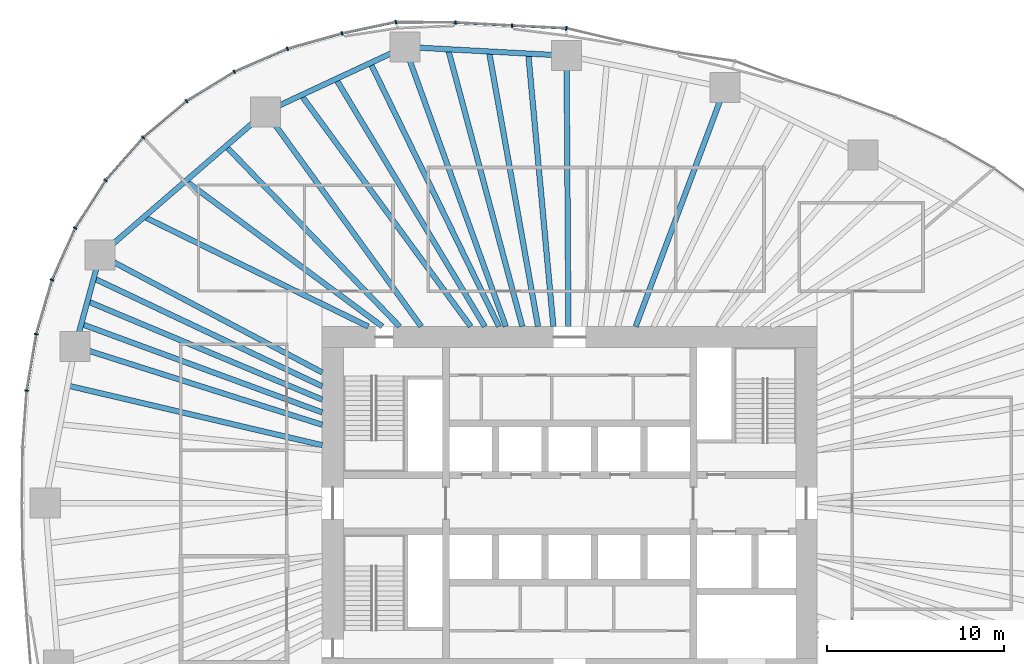
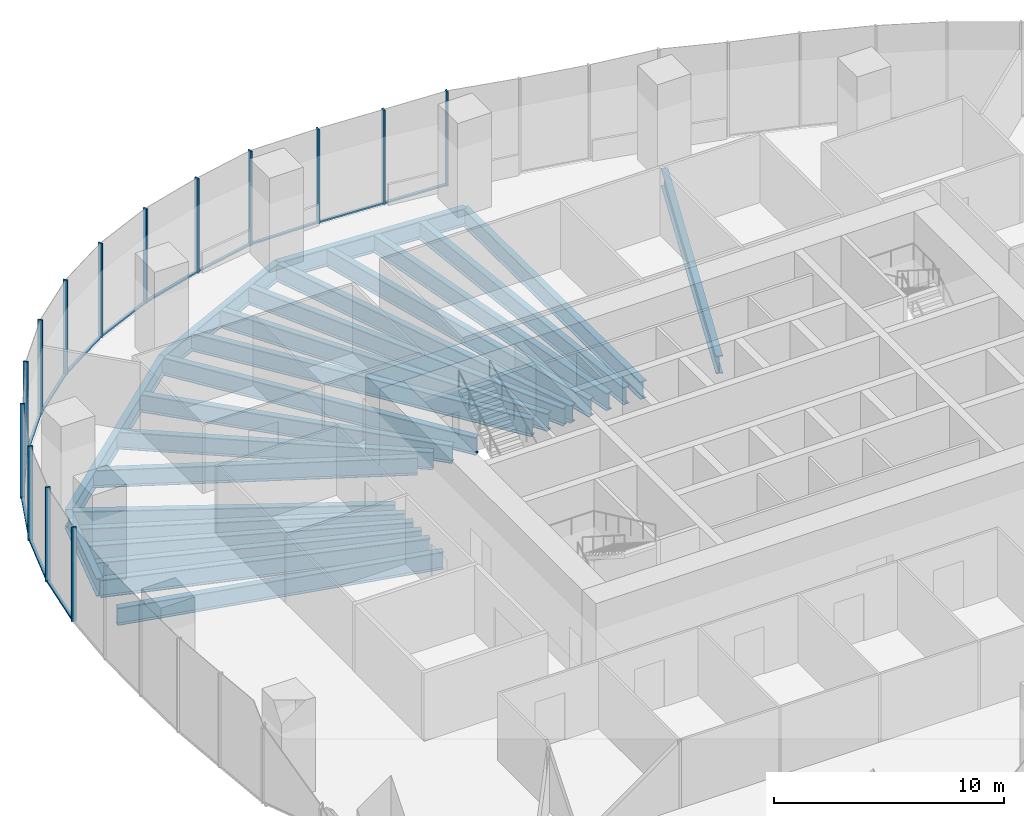
# One storey, part 5 of 20: 27 members, 23 beams, 5 elements without a shape of their own.
"""IFC4 building model written with IfcOpenShell, lengths in metres."""

from ifc_helpers import new_model, si_unit, direction, frame, origin, origin_2d, place, context, subcontext, project, spatial, rectangle, i_section, extrude, material, material_profile, profile_set, type_object, element, aggregate, save


model = new_model("IFC4")

# Units and contexts
model_context = context("Model", 3, precision=1e-05, world=origin(), true_north=direction((0.0, 1.0)))
body_context = subcontext(model_context, "Body", "Model", "MODEL_VIEW")
ifc_project = project(units=[si_unit("LENGTHUNIT", "METRE"), si_unit("AREAUNIT", "SQUARE_METRE"), si_unit("VOLUMEUNIT", "CUBIC_METRE"), si_unit("PLANEANGLEUNIT", "RADIAN"), si_unit("MASSUNIT", "GRAM", prefix="KILO")], contexts=[model_context])

# Site, building, storey
site_placement = place(None, origin())
site = spatial("IfcSite", under=ifc_project, at=site_placement, CompositionType="ELEMENT")
building_placement = place(site_placement, origin())
building = spatial("IfcBuilding", under=site, at=building_placement, Name="Ghaith Harvest Tower", CompositionType="ELEMENT")
storey_placement = place(building_placement, frame((0.0, 0.0, 55.0)))
storey = spatial("IfcBuildingStorey", under=building, at=storey_placement, Name="L11", CompositionType="ELEMENT", Elevation=55.0)

# Curtain wall, members
ifc_material_1 = material(Name="Black anodised aluminium and fritted glass", Category="aluminium")
curtain_wall_type = type_object("IfcCurtainWallType", Name="CW-F CURTAIN WALL", PredefinedType="NOTDEFINED", material=ifc_material_1)
curtain_wall_1_placement = place(storey_placement, origin())
curtain_wall_1 = element("IfcCurtainWall", 1, at=curtain_wall_1_placement, inside=storey, type_object=curtain_wall_type, Name="Curtain wall CW-F bay 06 L11", PredefinedType="NOTDEFINED")
ifc_material_2 = material(Name="Aluminium, black anodised", Category="aluminium")
ifc_material_profile_1 = material_profile(ifc_material_2, rectangle(XDim=0.080078125, YDim=0.219970703125, at=origin_2d()), Name="CW-F MULLION 80x220")
ifc_profile_set_1 = profile_set([ifc_material_profile_1], Name="Aluminium, black anodised")
member_type_1 = type_object("IfcMemberType", Name="CW-F MULLION 80x220", PredefinedType="MULLION", material=ifc_profile_set_1)
member_1_placement = place(storey_placement, frame((-0.183837890625, 26.877197265625, 0.0), z_axis=(0.0, 0.0, 1.0), x_axis=(-0.98971187143, 0.143074845976, 0.0)))
member_1 = element("IfcMember", 2, at=member_1_placement, type_object=member_type_1, Name="CW-F mullion 1 bay 06 L11", PredefinedType="MULLION", context=body_context, shape_type="SweptSolid", body=[
    extrude(rectangle(XDim=0.080078125, YDim=0.219970703125, at=origin_2d()), origin(), (0.0, 0.0, 1.0), 5.0),
])
member_2_placement = place(storey_placement, frame((-3.261962890625, 27.02978515625, 0.0), z_axis=(0.0, 0.0, 1.0), x_axis=(-0.998666923291, 0.051617597049, 0.0)))
member_2 = element("IfcMember", 3, at=member_2_placement, type_object=member_type_1, Name="CW-F mullion 2 bay 06 L11", PredefinedType="MULLION", context=body_context, shape_type="SweptSolid", body=[
    extrude(rectangle(XDim=0.080078125, YDim=0.219970703125, at=origin_2d()), origin(), (0.0, 0.0, 1.0), 5.0),
])
member_3_placement = place(storey_placement, frame((-6.465087890625, 27.20166015625, 0.0), z_axis=(0.0, 0.0, 1.0), x_axis=(-0.999527102163, 0.030750155138, 0.0)))
member_3 = element("IfcMember", 4, at=member_3_placement, type_object=member_type_1, Name="CW-F mullion 3 bay 06 L11", PredefinedType="MULLION", context=body_context, shape_type="SweptSolid", body=[
    extrude(rectangle(XDim=0.080078125, YDim=0.219970703125, at=origin_2d()), origin(), (0.0, 0.0, 1.0), 5.0),
])

curtain_wall_2_placement = place(storey_placement, origin())
curtain_wall_2 = element("IfcCurtainWall", 5, at=curtain_wall_2_placement, inside=storey, type_object=curtain_wall_type, Name="Curtain wall CW-F bay 07 L11", PredefinedType="NOTDEFINED")
member_4_placement = place(storey_placement, frame((-9.835693359375, 27.232177734375, 0.0), z_axis=(0.0, 0.0, 1.0), x_axis=(-0.995408459337, -0.095718332001, 0.0)))
member_4 = element("IfcMember", 6, at=member_4_placement, type_object=member_type_1, Name="CW-F mullion 1 bay 07 L11", PredefinedType="MULLION", context=body_context, shape_type="SweptSolid", body=[
    extrude(rectangle(XDim=0.080078125, YDim=0.219970703125, at=origin_2d()), origin(), (0.0, 0.0, 1.0), 5.0),
])
member_5_placement = place(storey_placement, frame((-12.880615234375, 26.5849609375, 0.0), z_axis=(0.0, 0.0, 1.0), x_axis=(-0.970824511782, -0.239791091, 0.0)))
member_5 = element("IfcMember", 7, at=member_5_placement, type_object=member_type_1, Name="CW-F mullion 2 bay 07 L11", PredefinedType="MULLION", context=body_context, shape_type="SweptSolid", body=[
    extrude(rectangle(XDim=0.080078125, YDim=0.219970703125, at=origin_2d()), origin(), (0.0, 0.0, 1.0), 5.0),
])
member_6_placement = place(storey_placement, frame((-15.97119140625, 25.716552734375, 0.0), z_axis=(0.0, 0.0, 1.0), x_axis=(-0.942293550527, -0.334787790451, 0.0)))
member_6 = element("IfcMember", 8, at=member_6_placement, type_object=member_type_1, Name="CW-F mullion 3 bay 07 L11", PredefinedType="MULLION", context=body_context, shape_type="SweptSolid", body=[
    extrude(rectangle(XDim=0.080078125, YDim=0.219970703125, at=origin_2d()), origin(), (0.0, 0.0, 1.0), 5.0),
])

curtain_wall_3_placement = place(storey_placement, origin())
curtain_wall_3 = element("IfcCurtainWall", 9, at=curtain_wall_3_placement, inside=storey, type_object=curtain_wall_type, Name="Curtain wall CW-F bay 08 L11", PredefinedType="NOTDEFINED")
member_7_placement = place(storey_placement, frame((-18.96728515625, 24.42236328125, 0.0), z_axis=(0.0, 0.0, 1.0), x_axis=(-0.887912253252, -0.460012859086, 0.0)))
member_7 = element("IfcMember", 10, at=member_7_placement, type_object=member_type_1, Name="CW-F mullion 1 bay 08 L11", PredefinedType="MULLION", context=body_context, shape_type="SweptSolid", body=[
    extrude(rectangle(XDim=0.080078125, YDim=0.219970703125, at=origin_2d()), origin(), (0.0, 0.0, 1.0), 5.0),
])
member_8_placement = place(storey_placement, frame((-21.681640625, 22.758056640625, 0.0), z_axis=(0.0, 0.0, 1.0), x_axis=(-0.811400750439, -0.584490224202, 0.0)))
member_8 = element("IfcMember", 11, at=member_8_placement, type_object=member_type_1, Name="CW-F mullion 2 bay 08 L11", PredefinedType="MULLION", context=body_context, shape_type="SweptSolid", body=[
    extrude(rectangle(XDim=0.080078125, YDim=0.219970703125, at=origin_2d()), origin(), (0.0, 0.0, 1.0), 5.0),
])
member_9_placement = place(storey_placement, frame((-24.139404296875, 20.696533203125, 0.0), z_axis=(0.0, 0.0, 1.0), x_axis=(-0.714663248213, -0.699468685256, 0.0)))
member_9 = element("IfcMember", 12, at=member_9_placement, type_object=member_type_1, Name="CW-F mullion 3 bay 08 L11", PredefinedType="MULLION", context=body_context, shape_type="SweptSolid", body=[
    extrude(rectangle(XDim=0.080078125, YDim=0.219970703125, at=origin_2d()), origin(), (0.0, 0.0, 1.0), 5.0),
])

curtain_wall_4_placement = place(storey_placement, origin())
curtain_wall_4 = element("IfcCurtainWall", 13, at=curtain_wall_4_placement, inside=storey, type_object=curtain_wall_type, Name="Curtain wall CW-F bay 09 L11", PredefinedType="NOTDEFINED")
member_10_placement = place(storey_placement, frame((-26.26318359375, 18.274169921875, 0.0), z_axis=(0.0, 0.0, 1.0), x_axis=(-0.599861600644, -0.800103780814, 0.0)))
member_10 = element("IfcMember", 14, at=member_10_placement, type_object=member_type_1, Name="CW-F mullion 1 bay 09 L11", PredefinedType="MULLION", context=body_context, shape_type="SweptSolid", body=[
    extrude(rectangle(XDim=0.080078125, YDim=0.219970703125, at=origin_2d()), origin(), (0.0, 0.0, 1.0), 5.0),
])
member_11_placement = place(storey_placement, frame((-27.986328125, 15.5654296875, 0.0), z_axis=(0.0, 0.0, 1.0), x_axis=(-0.473265082758, -0.880920065297, 0.0)))
member_11 = element("IfcMember", 15, at=member_11_placement, type_object=member_type_1, Name="CW-F mullion 2 bay 09 L11", PredefinedType="MULLION", context=body_context, shape_type="SweptSolid", body=[
    extrude(rectangle(XDim=0.080078125, YDim=0.219970703125, at=origin_2d()), origin(), (0.0, 0.0, 1.0), 5.0),
])
member_12_placement = place(storey_placement, frame((-29.29248046875, 12.63525390625, 0.0), z_axis=(0.0, 0.0, 1.0), x_axis=(-0.344618322502, -0.938742889079, 0.0)))
member_12 = element("IfcMember", 16, at=member_12_placement, type_object=member_type_1, Name="CW-F mullion 3 bay 09 L11", PredefinedType="MULLION", context=body_context, shape_type="SweptSolid", body=[
    extrude(rectangle(XDim=0.080078125, YDim=0.219970703125, at=origin_2d()), origin(), (0.0, 0.0, 1.0), 5.0),
])

curtain_wall_5_placement = place(storey_placement, origin())
curtain_wall_5 = element("IfcCurtainWall", 17, at=curtain_wall_5_placement, inside=storey, type_object=curtain_wall_type, Name="Curtain wall CW-F bay 10 L11", PredefinedType="NOTDEFINED")
member_13_placement = place(storey_placement, frame((-30.1884765625, 9.567138671875, 0.0), z_axis=(0.0, 0.0, 1.0), x_axis=(-0.222967363645, -0.97482590997, 0.0)))
member_13 = element("IfcMember", 18, at=member_13_placement, type_object=member_type_1, Name="CW-F mullion 1 bay 10 L11", PredefinedType="MULLION", context=body_context, shape_type="SweptSolid", body=[
    extrude(rectangle(XDim=0.080078125, YDim=0.219970703125, at=origin_2d()), origin(), (0.0, 0.0, 1.0), 5.0),
])
member_14_placement = place(storey_placement, frame((-30.724365234375, 6.37548828125, 0.0), z_axis=(0.0, 0.0, 1.0), x_axis=(-0.119352816132, -0.99285190501, 0.0)))
member_14 = element("IfcMember", 19, at=member_14_placement, type_object=member_type_1, Name="CW-F mullion 2 bay 10 L11", PredefinedType="MULLION", context=body_context, shape_type="SweptSolid", body=[
    extrude(rectangle(XDim=0.080078125, YDim=0.219970703125, at=origin_2d()), origin(), (0.0, 0.0, 1.0), 5.0),
])

# Member
ifc_material_3 = material(Name="Aluminium, black anodised", Category="aluminium")
ifc_material_profile_2 = material_profile(ifc_material_3, rectangle(XDim=0.139892578125, YDim=0.080078125, at=origin_2d()), Name="CW-F TRANSOM 140x80")
ifc_profile_set_2 = profile_set([ifc_material_profile_2], Name="Aluminium, black anodised")
member_type_2 = type_object("IfcMemberType", Name="CW-F TRANSOM 140x80", PredefinedType="USERDEFINED", material=ifc_profile_set_2)
member_15_placement = place(storey_placement, frame((-0.223876953125, 26.879150390625, 0.0400390625), z_axis=(-0.998772539109, 0.049531960612, 0.0), x_axis=(-0.049531960612, -0.998772539109, 0.0)))
member_15 = element("IfcMember", 20, at=member_15_placement, type_object=member_type_2, Name="CW-F transom 1 bay 06 L11", ObjectType="TRANSOM", PredefinedType="USERDEFINED", context=body_context, shape_type="SweptSolid", body=[
    extrude(rectangle(XDim=0.139892578125, YDim=0.080078125, at=origin_2d()), origin(), (0.0, 0.0, 1.0), 3.001708984375),
])

member_16_placement = place(storey_placement, frame((-3.3017578125, 27.031982421875, 0.0400390625), z_axis=(-0.99856142387, 0.053619798202, 0.0), x_axis=(-0.053619798202, -0.99856142387, 0.0)))
member_16 = element("IfcMember", 21, at=member_16_placement, type_object=member_type_2, Name="CW-F transom 2 bay 06 L11", ObjectType="TRANSOM", PredefinedType="USERDEFINED", context=body_context, shape_type="SweptSolid", body=[
    extrude(rectangle(XDim=0.139892578125, YDim=0.080078125, at=origin_2d()), origin(), (0.0, 0.0, 1.0), 3.1279296875),
])

member_17_placement = place(storey_placement, frame((-6.505126953125, 27.2021484375, 0.0400390625), z_axis=(-0.999959703847, 0.008977231352, 0.0), x_axis=(-0.008977231352, -0.999959703847, 0.0)))
member_17 = element("IfcMember", 22, at=member_17_placement, type_object=member_type_2, Name="CW-F transom 3 bay 06 L11", ObjectType="TRANSOM", PredefinedType="USERDEFINED", context=body_context, shape_type="SweptSolid", body=[
    extrude(rectangle(XDim=0.139892578125, YDim=0.080078125, at=origin_2d()), origin(), (0.0, 0.0, 1.0), 3.290771484375),
])

aggregate(curtain_wall_1, [member_1, member_15, member_2, member_16, member_3, member_17])

member_18_placement = place(storey_placement, frame((-9.874755859375, 27.2236328125, 0.0400390625), z_axis=(-0.978160283029, -0.207852016359, 0.0), x_axis=(0.207852016359, -0.978160283029, 0.0)))
member_18 = element("IfcMember", 23, at=member_18_placement, type_object=member_type_2, Name="CW-F transom 1 bay 07 L11", ObjectType="TRANSOM", PredefinedType="USERDEFINED", context=body_context, shape_type="SweptSolid", body=[
    extrude(rectangle(XDim=0.139892578125, YDim=0.080078125, at=origin_2d()), origin(), (0.0, 0.0, 1.0), 3.03271484375),
])

member_19_placement = place(storey_placement, frame((-12.9189453125, 26.573974609375, 0.0400390625), z_axis=(-0.962727128991, -0.270474536888, 0.0), x_axis=(0.270474536888, -0.962727128991, 0.0)))
member_19 = element("IfcMember", 24, at=member_19_placement, type_object=member_type_2, Name="CW-F transom 2 bay 07 L11", ObjectType="TRANSOM", PredefinedType="USERDEFINED", context=body_context, shape_type="SweptSolid", body=[
    extrude(rectangle(XDim=0.139892578125, YDim=0.080078125, at=origin_2d()), origin(), (0.0, 0.0, 1.0), 3.13037109375),
])

member_20_placement = place(storey_placement, frame((-16.008056640625, 25.70068359375, 0.0400390625), z_axis=(-0.9180027124, -0.396574104079, 0.0), x_axis=(0.396574104079, -0.9180027124, 0.0)))
member_20 = element("IfcMember", 25, at=member_20_placement, type_object=member_type_2, Name="CW-F transom 3 bay 07 L11", ObjectType="TRANSOM", PredefinedType="USERDEFINED", context=body_context, shape_type="SweptSolid", body=[
    extrude(rectangle(XDim=0.139892578125, YDim=0.080078125, at=origin_2d()), origin(), (0.0, 0.0, 1.0), 3.183349609375),
])

aggregate(curtain_wall_2, [member_4, member_18, member_5, member_19, member_6, member_20])

member_21_placement = place(storey_placement, frame((-19.001220703125, 24.4013671875, 0.0400390625), z_axis=(-0.852561687195, -0.522626606219, 0.0), x_axis=(0.522626606219, -0.852561687195, 0.0)))
member_21 = element("IfcMember", 26, at=member_21_placement, type_object=member_type_2, Name="CW-F transom 1 bay 08 L11", ObjectType="TRANSOM", PredefinedType="USERDEFINED", context=body_context, shape_type="SweptSolid", body=[
    extrude(rectangle(XDim=0.139892578125, YDim=0.080078125, at=origin_2d()), origin(), (0.0, 0.0, 1.0), 3.104248046875),
])

member_22_placement = place(storey_placement, frame((-21.71240234375, 22.732421875, 0.0400390625), z_axis=(-0.766144434184, -0.642668426149, 0.0), x_axis=(0.642668426149, -0.766144434184, 0.0)))
member_22 = element("IfcMember", 27, at=member_22_placement, type_object=member_type_2, Name="CW-F transom 2 bay 08 L11", ObjectType="TRANSOM", PredefinedType="USERDEFINED", context=body_context, shape_type="SweptSolid", body=[
    extrude(rectangle(XDim=0.139892578125, YDim=0.080078125, at=origin_2d()), origin(), (0.0, 0.0, 1.0), 3.1279296875),
])

member_23_placement = place(storey_placement, frame((-24.165771484375, 20.66650390625, 0.0400390625), z_axis=(-0.65923052982, -0.751940894322, 0.0), x_axis=(0.751940894322, -0.65923052982, 0.0)))
member_23 = element("IfcMember", 28, at=member_23_placement, type_object=member_type_2, Name="CW-F transom 3 bay 08 L11", ObjectType="TRANSOM", PredefinedType="USERDEFINED", context=body_context, shape_type="SweptSolid", body=[
    extrude(rectangle(XDim=0.139892578125, YDim=0.080078125, at=origin_2d()), origin(), (0.0, 0.0, 1.0), 3.1416015625),
])

aggregate(curtain_wall_3, [member_7, member_21, member_8, member_22, member_9, member_23])

member_24_placement = place(storey_placement, frame((-26.28466796875, 18.240234375, 0.0400390625), z_axis=(-0.536754366643, -0.843738555412, 0.0), x_axis=(0.843738555412, -0.536754366643, 0.0)))
member_24 = element("IfcMember", 29, at=member_24_placement, type_object=member_type_2, Name="CW-F transom 1 bay 09 L11", ObjectType="TRANSOM", PredefinedType="USERDEFINED", context=body_context, shape_type="SweptSolid", body=[
    extrude(rectangle(XDim=0.139892578125, YDim=0.080078125, at=origin_2d()), origin(), (0.0, 0.0, 1.0), 3.13037109375),
])

member_25_placement = place(storey_placement, frame((-28.002685546875, 15.52880859375, 0.0400390625), z_axis=(-0.407123143204, -0.913373278714, 0.0), x_axis=(0.913373278714, -0.407123143204, 0.0)))
member_25 = element("IfcMember", 30, at=member_25_placement, type_object=member_type_2, Name="CW-F transom 2 bay 09 L11", ObjectType="TRANSOM", PredefinedType="USERDEFINED", context=body_context, shape_type="SweptSolid", body=[
    extrude(rectangle(XDim=0.139892578125, YDim=0.080078125, at=origin_2d()), origin(), (0.0, 0.0, 1.0), 3.1279296875),
])

member_26_placement = place(storey_placement, frame((-29.3037109375, 12.596923828125, 0.0400390625), z_axis=(-0.280324903873, -0.959905176707, 0.0), x_axis=(0.959905176707, -0.280324903873, 0.0)))
member_26 = element("IfcMember", 31, at=member_26_placement, type_object=member_type_2, Name="CW-F transom 3 bay 09 L11", ObjectType="TRANSOM", PredefinedType="USERDEFINED", context=body_context, shape_type="SweptSolid", body=[
    extrude(rectangle(XDim=0.139892578125, YDim=0.080078125, at=origin_2d()), origin(), (0.0, 0.0, 1.0), 3.1162109375),
])

aggregate(curtain_wall_4, [member_10, member_24, member_11, member_25, member_12, member_26])

member_27_placement = place(storey_placement, frame((-30.195068359375, 9.52783203125, 0.0400390625), z_axis=(-0.165527763099, -0.986205130611, 0.0), x_axis=(0.986205130611, -0.165527763099, 0.0)))
member_27 = element("IfcMember", 32, at=member_27_placement, type_object=member_type_2, Name="CW-F transom 1 bay 10 L11", ObjectType="TRANSOM", PredefinedType="USERDEFINED", context=body_context, shape_type="SweptSolid", body=[
    extrude(rectangle(XDim=0.139892578125, YDim=0.080078125, at=origin_2d()), origin(), (0.0, 0.0, 1.0), 3.15625),
])

aggregate(curtain_wall_5, [member_13, member_27, member_14])

# Beams
ifc_material_4 = material(Name="Steel ASTM A992 Grade 50", Category="steel")
ifc_material_profile_3 = material_profile(ifc_material_4, i_section(OverallWidth=0.306884765625, OverallDepth=0.94189453125, WebThickness=0.022216796875, FlangeThickness=0.039794921875, at=origin_2d()), Name="W920X345")
ifc_profile_set_3 = profile_set([ifc_material_profile_3], Name="Steel ASTM A992 Grade 50")
beam_type_1 = type_object("IfcBeamType", Name="E920-345 W920X345", PredefinedType="SPANDREL", material=ifc_profile_set_3)
beam_1_placement = place(storey_placement, frame((-0.173095703125, 25.326904296875, -0.6708984375), z_axis=(-0.998545840532, 0.053909223293, 0.0), x_axis=(-0.053909223293, -0.998545840532, 0.0)))
element("IfcBeam", 33, at=beam_1_placement, inside=storey, type_object=beam_type_1, Name="Edge beam E06 L11", PredefinedType="SPANDREL", context=body_context, shape_type="SweptSolid", body=[
    extrude(i_section(OverallWidth=0.306884765625, OverallDepth=0.94189453125, WebThickness=0.022216796875, FlangeThickness=0.039794921875, at=origin_2d()), origin(), (0.0, 0.0, 1.0), 9.166259765625),
])
beam_2_placement = place(storey_placement, frame((-9.325927734375, 25.821044921875, -0.6708984375), z_axis=(-0.906373259523, -0.422477827137, 0.0), x_axis=(0.422477827137, -0.906373259523, 0.0)))
element("IfcBeam", 34, at=beam_2_placement, inside=storey, type_object=beam_type_1, Name="Edge beam E07 L11", PredefinedType="SPANDREL", context=body_context, shape_type="SweptSolid", body=[
    extrude(i_section(OverallWidth=0.306884765625, OverallDepth=0.94189453125, WebThickness=0.022216796875, FlangeThickness=0.039794921875, at=origin_2d()), origin(), (0.0, 0.0, 1.0), 8.689453125),
])
beam_3_placement = place(storey_placement, frame((-17.201904296875, 22.14990234375, -0.6708984375), z_axis=(-0.756392158274, -0.654118416574, 0.0), x_axis=(0.654118416574, -0.756392158274, 0.0)))
element("IfcBeam", 35, at=beam_3_placement, inside=storey, type_object=beam_type_1, Name="Edge beam E08 L11", PredefinedType="SPANDREL", context=body_context, shape_type="SweptSolid", body=[
    extrude(i_section(OverallWidth=0.306884765625, OverallDepth=0.94189453125, WebThickness=0.022216796875, FlangeThickness=0.039794921875, at=origin_2d()), origin(), (0.0, 0.0, 1.0), 12.38916015625),
])
beam_4_placement = place(storey_placement, frame((-26.572998046875, 14.0458984375, -0.6708984375), z_axis=(-0.262724740433, -0.964870825947, 0.0), x_axis=(0.964870825947, -0.262724740433, 0.0)))
element("IfcBeam", 36, at=beam_4_placement, inside=storey, type_object=beam_type_1, Name="Edge beam E09 L11", PredefinedType="SPANDREL", context=body_context, shape_type="SweptSolid", body=[
    extrude(i_section(OverallWidth=0.306884765625, OverallDepth=0.94189453125, WebThickness=0.022216796875, FlangeThickness=0.039794921875, at=origin_2d()), origin(), (0.0, 0.0, 1.0), 5.366455078125),
])
ifc_material_5 = material(Name="Steel ASTM A992 Grade 50", Category="steel")
ifc_material_profile_4 = material_profile(ifc_material_5, i_section(OverallWidth=0.306884765625, OverallDepth=0.94189453125, WebThickness=0.022216796875, FlangeThickness=0.039794921875, at=origin_2d()), Name="W920X345")
ifc_profile_set_4 = profile_set([ifc_material_profile_4], Name="Steel ASTM A992 Grade 50")
beam_type_2 = type_object("IfcBeamType", Name="G920-345 W920X345", PredefinedType="BEAM", material=ifc_profile_set_4)
beam_5_placement = place(storey_placement, frame((3.73828125, 10.0, -0.6708984375), z_axis=(0.350150596156, 0.936693418367, 0.0), x_axis=(-0.936693418367, 0.350150596156, 0.0)))
element("IfcBeam", 37, at=beam_5_placement, inside=storey, type_object=beam_type_2, Name="Radial girder G05 L11", PredefinedType="BEAM", context=body_context, shape_type="SweptSolid", body=[
    extrude(i_section(OverallWidth=0.306884765625, OverallDepth=0.94189453125, WebThickness=0.022216796875, FlangeThickness=0.039794921875, at=origin_2d()), origin(), (0.0, 0.0, 1.0), 14.44140625),
])
beam_6_placement = place(storey_placement, frame((-0.068359375, 10.0, -0.6708984375), z_axis=(-0.006833335732, 0.999976652489, 0.0), x_axis=(-0.999976652489, -0.006833335732, 0.0)))
element("IfcBeam", 38, at=beam_6_placement, inside=storey, type_object=beam_type_2, Name="Radial girder G06 L11", PredefinedType="BEAM", context=body_context, shape_type="SweptSolid", body=[
    extrude(i_section(OverallWidth=0.306884765625, OverallDepth=0.94189453125, WebThickness=0.022216796875, FlangeThickness=0.039794921875, at=origin_2d()), origin(), (0.0, 0.0, 1.0), 15.3271484375),
])
beam_7_placement = place(storey_placement, frame((-3.61181640625, 10.0, -0.6708984375), z_axis=(-0.339694751271, 0.940535738799, 0.0), x_axis=(-0.940535738799, -0.339694751271, 0.0)))
element("IfcBeam", 39, at=beam_7_placement, inside=storey, type_object=beam_type_2, Name="Radial girder G07 L11", PredefinedType="BEAM", context=body_context, shape_type="SweptSolid", body=[
    extrude(i_section(OverallWidth=0.306884765625, OverallDepth=0.94189453125, WebThickness=0.022216796875, FlangeThickness=0.039794921875, at=origin_2d()), origin(), (0.0, 0.0, 1.0), 16.8212890625),
])
beam_8_placement = place(storey_placement, frame((-8.39990234375, 10.0, -0.6708984375), z_axis=(-0.586675813287, 0.809821887889, 0.0), x_axis=(-0.809821887889, -0.586675813287, 0.0)))
element("IfcBeam", 40, at=beam_8_placement, inside=storey, type_object=beam_type_2, Name="Radial girder G08 L11", PredefinedType="BEAM", context=body_context, shape_type="SweptSolid", body=[
    extrude(i_section(OverallWidth=0.306884765625, OverallDepth=0.94189453125, WebThickness=0.022216796875, FlangeThickness=0.039794921875, at=origin_2d()), origin(), (0.0, 0.0, 1.0), 15.003173828125),
])
beam_9_placement = place(storey_placement, frame((-14.0, 7.39990234375, -0.6708984375), z_axis=(-0.88408713845, 0.467322085533, 0.0), x_axis=(-0.467322085533, -0.88408713845, 0.0)))
element("IfcBeam", 41, at=beam_9_placement, inside=storey, type_object=beam_type_2, Name="Radial girder G09 L11", PredefinedType="BEAM", context=body_context, shape_type="SweptSolid", body=[
    extrude(i_section(OverallWidth=0.306884765625, OverallDepth=0.94189453125, WebThickness=0.022216796875, FlangeThickness=0.039794921875, at=origin_2d()), origin(), (0.0, 0.0, 1.0), 14.221435546875),
])
beam_10_placement = place(storey_placement, frame((-14.0, 4.43701171875, -0.6708984375), z_axis=(-0.953283605796, 0.302076756671, 0.0), x_axis=(-0.302076756671, -0.953283605796, 0.0)))
element("IfcBeam", 42, at=beam_10_placement, inside=storey, type_object=beam_type_2, Name="Radial girder G10 L11", PredefinedType="BEAM", context=body_context, shape_type="SweptSolid", body=[
    extrude(i_section(OverallWidth=0.306884765625, OverallDepth=0.94189453125, WebThickness=0.022216796875, FlangeThickness=0.039794921875, at=origin_2d()), origin(), (0.0, 0.0, 1.0), 14.668212890625),
])
ifc_material_6 = material(Name="Steel ASTM A992 Grade 50", Category="steel")
ifc_material_profile_5 = material_profile(ifc_material_6, i_section(OverallWidth=0.31005859375, OverallDepth=0.927001953125, WebThickness=0.019287109375, FlangeThickness=0.031982421875, at=origin_2d()), Name="W920X289")
ifc_profile_set_5 = profile_set([ifc_material_profile_5], Name="Steel ASTM A992 Grade 50")
beam_type_3 = type_object("IfcBeamType", Name="J920-289 W920X289", PredefinedType="JOIST", material=ifc_profile_set_5)
beam_11_placement = place(storey_placement, frame((-0.92041015625, 10.0, -0.66357421875), z_axis=(-0.091647013776, 0.995791556936, 0.0), x_axis=(-0.995791556936, -0.091647013776, 0.0)))
element("IfcBeam", 43, at=beam_11_placement, inside=storey, type_object=beam_type_3, Name="Joist J06.1 L11", PredefinedType="JOIST", context=body_context, shape_type="SweptSolid", body=[
    extrude(i_section(OverallWidth=0.31005859375, OverallDepth=0.927001953125, WebThickness=0.019287109375, FlangeThickness=0.031982421875, at=origin_2d()), origin(), (0.0, 0.0, 1.0), 15.50927734375),
])
beam_12_placement = place(storey_placement, frame((-1.785888671875, 10.0, -0.66357421875), z_axis=(-0.175789035136, 0.984427861819, 0.0), x_axis=(-0.984427861819, -0.175789035136, 0.0)))
element("IfcBeam", 44, at=beam_12_placement, inside=storey, type_object=beam_type_3, Name="Joist J06.2 L11", PredefinedType="JOIST", context=body_context, shape_type="SweptSolid", body=[
    extrude(i_section(OverallWidth=0.31005859375, OverallDepth=0.927001953125, WebThickness=0.019287109375, FlangeThickness=0.031982421875, at=origin_2d()), origin(), (0.0, 0.0, 1.0), 15.810302734375),
])
beam_13_placement = place(storey_placement, frame((-10.60009765625, 10.0, -0.66357421875), z_axis=(-0.803663089107, 0.595084564752, 0.0), x_axis=(-0.595084564752, -0.803663089107, 0.0)))
element("IfcBeam", 45, at=beam_13_placement, inside=storey, type_object=beam_type_3, Name="Joist J08.2 L11", PredefinedType="JOIST", context=body_context, shape_type="SweptSolid", body=[
    extrude(i_section(OverallWidth=0.31005859375, OverallDepth=0.927001953125, WebThickness=0.019287109375, FlangeThickness=0.031982421875, at=origin_2d()), origin(), (0.0, 0.0, 1.0), 13.843505859375),
])
beam_14_placement = place(storey_placement, frame((-11.39990234375, 10.0, -0.66357421875), z_axis=(-0.898274832354, 0.439434096946, 0.0), x_axis=(-0.439434096946, -0.898274832354, 0.0)))
element("IfcBeam", 46, at=beam_14_placement, inside=storey, type_object=beam_type_3, Name="Joist J08.3 L11", PredefinedType="JOIST", context=body_context, shape_type="SweptSolid", body=[
    extrude(i_section(OverallWidth=0.31005859375, OverallDepth=0.927001953125, WebThickness=0.019287109375, FlangeThickness=0.031982421875, at=origin_2d()), origin(), (0.0, 0.0, 1.0), 14.114990234375),
])
beam_15_placement = place(storey_placement, frame((-14.0, 6.614990234375, -0.66357421875), z_axis=(-0.904153428261, 0.427207886354, 0.0), x_axis=(-0.427207886354, -0.904153428261, 0.0)))
element("IfcBeam", 47, at=beam_15_placement, inside=storey, type_object=beam_type_3, Name="Joist J09.1 L11", PredefinedType="JOIST", context=body_context, shape_type="SweptSolid", body=[
    extrude(i_section(OverallWidth=0.31005859375, OverallDepth=0.927001953125, WebThickness=0.019287109375, FlangeThickness=0.031982421875, at=origin_2d()), origin(), (0.0, 0.0, 1.0), 14.303466796875),
])
beam_16_placement = place(storey_placement, frame((-14.0, 5.862548828125, -0.66357421875), z_axis=(-0.922385943167, 0.38626955853, 0.0), x_axis=(-0.38626955853, -0.922385943167, 0.0)))
element("IfcBeam", 48, at=beam_16_placement, inside=storey, type_object=beam_type_3, Name="Joist J09.2 L11", PredefinedType="JOIST", context=body_context, shape_type="SweptSolid", body=[
    extrude(i_section(OverallWidth=0.31005859375, OverallDepth=0.927001953125, WebThickness=0.019287109375, FlangeThickness=0.031982421875, at=origin_2d()), origin(), (0.0, 0.0, 1.0), 14.404296875),
])
beam_17_placement = place(storey_placement, frame((-14.0, 5.137939453125, -0.66357421875), z_axis=(-0.93877541132, 0.344529718748, 0.0), x_axis=(-0.344529718748, -0.93877541132, 0.0)))
element("IfcBeam", 49, at=beam_17_placement, inside=storey, type_object=beam_type_3, Name="Joist J09.3 L11", PredefinedType="JOIST", context=body_context, shape_type="SweptSolid", body=[
    extrude(i_section(OverallWidth=0.31005859375, OverallDepth=0.927001953125, WebThickness=0.019287109375, FlangeThickness=0.031982421875, at=origin_2d()), origin(), (0.0, 0.0, 1.0), 14.525390625),
])
beam_18_placement = place(storey_placement, frame((-14.0, 3.280517578125, -0.66357421875), z_axis=(-0.973623012228, 0.228162727151, 0.0), x_axis=(-0.228162727151, -0.973623012228, 0.0)))
element("IfcBeam", 50, at=beam_18_placement, inside=storey, type_object=beam_type_3, Name="Joist J10.1 L11", PredefinedType="JOIST", context=body_context, shape_type="SweptSolid", body=[
    extrude(i_section(OverallWidth=0.31005859375, OverallDepth=0.927001953125, WebThickness=0.019287109375, FlangeThickness=0.031982421875, at=origin_2d()), origin(), (0.0, 0.0, 1.0), 14.795166015625),
])
ifc_material_7 = material(Name="Steel ASTM A992 Grade 50", Category="steel")
ifc_material_profile_6 = material_profile(ifc_material_7, i_section(OverallWidth=0.306884765625, OverallDepth=0.94189453125, WebThickness=0.022216796875, FlangeThickness=0.039794921875, at=origin_2d()), Name="W920X345")
ifc_profile_set_6 = profile_set([ifc_material_profile_6], Name="Steel ASTM A992 Grade 50")
beam_type_4 = type_object("IfcBeamType", Name="J920-345 W920X345", PredefinedType="JOIST", material=ifc_profile_set_6)
beam_19_placement = place(storey_placement, frame((-2.677978515625, 10.0, -0.6708984375), z_axis=(-0.258679482451, 0.965963211183, 0.0), x_axis=(-0.965963211183, -0.258679482451, 0.0)))
element("IfcBeam", 51, at=beam_19_placement, inside=storey, type_object=beam_type_4, Name="Joist J06.3 L11", PredefinedType="JOIST", context=body_context, shape_type="SweptSolid", body=[
    extrude(i_section(OverallWidth=0.306884765625, OverallDepth=0.94189453125, WebThickness=0.022216796875, FlangeThickness=0.039794921875, at=origin_2d()), origin(), (0.0, 0.0, 1.0), 16.24169921875),
])
beam_20_placement = place(storey_placement, frame((-4.0, 10.0, -0.6708984375), z_axis=(-0.438505380705, 0.898728563635, 0.0), x_axis=(-0.898728563635, -0.438505380705, 0.0)))
element("IfcBeam", 52, at=beam_20_placement, inside=storey, type_object=beam_type_4, Name="Joist J07.1 L11", PredefinedType="JOIST", context=body_context, shape_type="SweptSolid", body=[
    extrude(i_section(OverallWidth=0.306884765625, OverallDepth=0.94189453125, WebThickness=0.022216796875, FlangeThickness=0.039794921875, at=origin_2d()), origin(), (0.0, 0.0, 1.0), 16.592529296875),
])
beam_21_placement = place(storey_placement, frame((-4.800048828125, 10.0, -0.6708984375), z_axis=(-0.515358894704, 0.85697445099, 0.0), x_axis=(-0.85697445099, -0.515358894704, 0.0)))
element("IfcBeam", 53, at=beam_21_placement, inside=storey, type_object=beam_type_4, Name="Joist J07.2 L11", PredefinedType="JOIST", context=body_context, shape_type="SweptSolid", body=[
    extrude(i_section(OverallWidth=0.306884765625, OverallDepth=0.94189453125, WebThickness=0.022216796875, FlangeThickness=0.039794921875, at=origin_2d()), origin(), (0.0, 0.0, 1.0), 16.34228515625),
])
beam_22_placement = place(storey_placement, frame((-5.60009765625, 10.0, -0.6708984375), z_axis=(-0.591008736068, 0.806665155992, 0.0), x_axis=(-0.806665155992, -0.591008736068, 0.0)))
element("IfcBeam", 54, at=beam_22_placement, inside=storey, type_object=beam_type_4, Name="Joist J07.3 L11", PredefinedType="JOIST", context=body_context, shape_type="SweptSolid", body=[
    extrude(i_section(OverallWidth=0.306884765625, OverallDepth=0.94189453125, WebThickness=0.022216796875, FlangeThickness=0.039794921875, at=origin_2d()), origin(), (0.0, 0.0, 1.0), 16.22509765625),
])
beam_23_placement = place(storey_placement, frame((-9.626708984375, 10.0, -0.6708984375), z_axis=(-0.693535693616, 0.720422266231, 0.0), x_axis=(-0.720422266231, -0.693535693616, 0.0)))
element("IfcBeam", 55, at=beam_23_placement, inside=storey, type_object=beam_type_4, Name="Joist J08.1 L11", PredefinedType="JOIST", context=body_context, shape_type="SweptSolid", body=[
    extrude(i_section(OverallWidth=0.306884765625, OverallDepth=0.94189453125, WebThickness=0.022216796875, FlangeThickness=0.039794921875, at=origin_2d()), origin(), (0.0, 0.0, 1.0), 14.16552734375),
])

save(model, "model.ifc")
